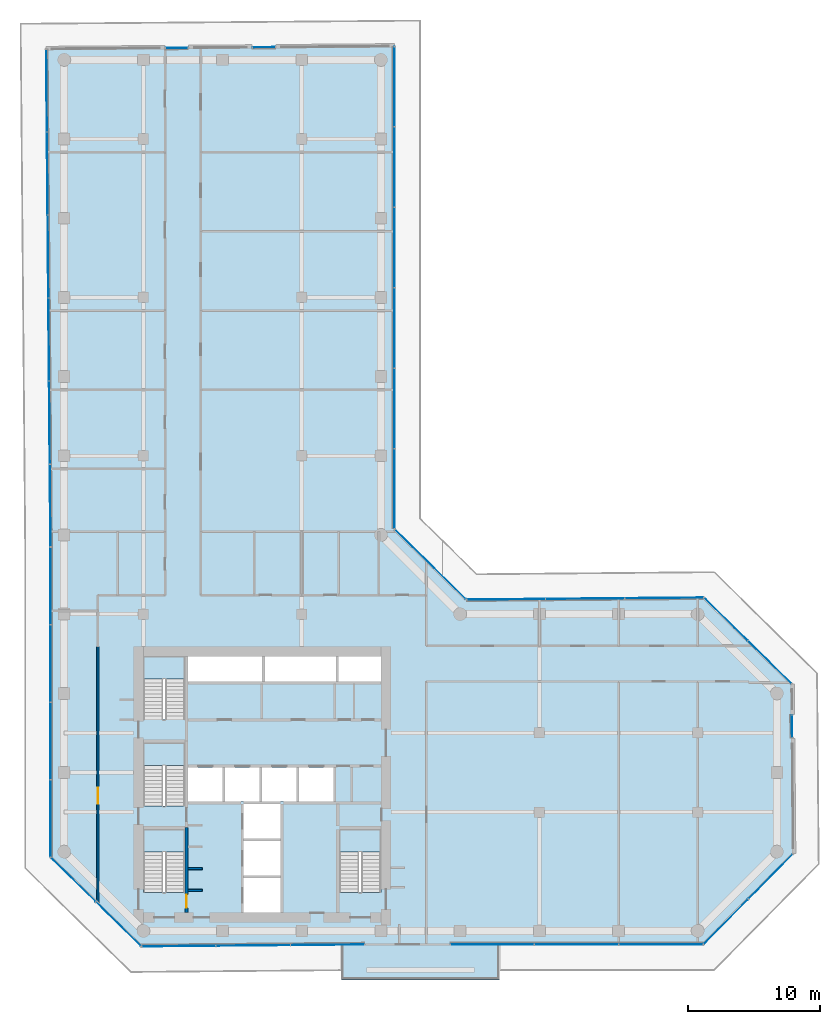
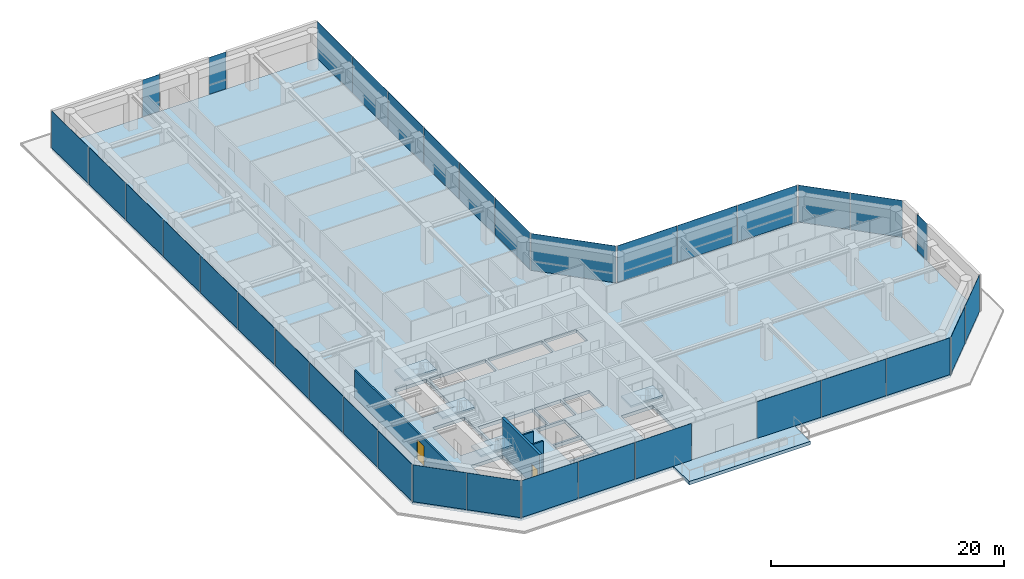
# One storey, part 15 of 21: 35 plates, 6 slabs, 4 walls, 2 doors, 2 openings, 17 elements without a shape of their own.
"""IFC4 building model written with IfcOpenShell, lengths in metres."""

from ifc_helpers import new_model, si_unit, direction, frame, frame_2d, origin, origin_2d, place, context, subcontext, project, spatial, polyline, rectangle, outline, extrude, material, layer, layer_set, type_object, element, fill, aggregate, save


model = new_model("IFC4")

# Units and contexts
model_context = context("Model", 3, precision=1e-05, world=origin(), true_north=direction((0.0, 1.0)))
body_context = subcontext(model_context, "Body", "Model", "MODEL_VIEW")
ifc_project = project(units=[si_unit("LENGTHUNIT", "METRE"), si_unit("AREAUNIT", "SQUARE_METRE"), si_unit("VOLUMEUNIT", "CUBIC_METRE"), si_unit("PLANEANGLEUNIT", "RADIAN"), si_unit("MASSUNIT", "GRAM", prefix="KILO")], contexts=[model_context])

# Site, building, storey
site_placement = place(None, origin())
site = spatial("IfcSite", under=ifc_project, at=site_placement, CompositionType="ELEMENT")
building_placement = place(site_placement, origin())
building = spatial("IfcBuilding", under=site, at=building_placement, Name="Welwitschia Terrace Campus", CompositionType="ELEMENT")
storey_placement = place(building_placement, frame((0.0, 0.0, 108.800048828125)))
storey = spatial("IfcBuildingStorey", under=building, at=storey_placement, Name="L24", CompositionType="ELEMENT", Elevation=108.800048828125)

# Curtain wall, plates
ifc_material_1 = material(Name="Bronze anodised aluminium", Category="aluminium")
ifc_layer_1 = layer(ifc_material_1, 0.1201171875)
ifc_layer_set_1 = layer_set([ifc_layer_1], Name="Bronze anodised aluminium")
curtain_wall_type = type_object("IfcCurtainWallType", Name="Curtain wall CW2 tower 6000", PredefinedType="NOTDEFINED", material=ifc_layer_set_1)
curtain_wall_1_placement = place(storey_placement, origin())
curtain_wall_1 = element("IfcCurtainWall", 1, at=curtain_wall_1_placement, inside=storey, type_object=curtain_wall_type, Name="CW L24.0.0", PredefinedType="NOTDEFINED")
ifc_material_2 = material(Name="Tinted bronze-grey glass", Category="glass")
ifc_layer_2 = layer(ifc_material_2, 0.028076171875)
ifc_layer_set_2 = layer_set([ifc_layer_2], Name="Tinted bronze-grey glass")
plate_type = type_object("IfcPlateType", Name="Glass panel 28 tinted", PredefinedType="CURTAIN_PANEL", material=ifc_layer_set_2)
plate_1_placement = place(storey_placement, frame((-1.331787109375, 67.661376953125, 0.0), z_axis=(0.0, 0.0, 1.0), x_axis=(0.008726535498, -0.999961923064, 0.0)))
plate_1 = element("IfcPlate", 2, at=plate_1_placement, type_object=plate_type, Name="Panel L24.0.0.0", PredefinedType="CURTAIN_PANEL", context=body_context, shape_type="SweptSolid", body=[
    extrude(rectangle(XDim=6.201171875, YDim=0.028076171875, at=origin_2d()), origin(), (0.0, 0.0, 1.0), 3.85009765625),
])
plate_2_placement = place(storey_placement, frame((-1.277099609375, 61.385498046875, 0.0), z_axis=(0.0, 0.0, 1.0), x_axis=(0.008726535498, -0.999961923064, 0.0)))
plate_2 = element("IfcPlate", 3, at=plate_2_placement, type_object=plate_type, Name="Panel L24.0.0.1", PredefinedType="CURTAIN_PANEL", context=body_context, shape_type="SweptSolid", body=[
    extrude(rectangle(XDim=6.23095703125, YDim=0.028076171875, at=origin_2d()), origin(), (0.0, 0.0, 1.0), 3.85009765625),
])
plate_3_placement = place(storey_placement, frame((-1.22216796875, 55.0947265625, 0.0), z_axis=(0.0, 0.0, 1.0), x_axis=(0.008726535498, -0.999961923064, 0.0)))
plate_3 = element("IfcPlate", 4, at=plate_3_placement, type_object=plate_type, Name="Panel L24.0.0.2", PredefinedType="CURTAIN_PANEL", context=body_context, shape_type="SweptSolid", body=[
    extrude(rectangle(XDim=6.23095703125, YDim=0.028076171875, at=origin_2d()), origin(), (0.0, 0.0, 1.0), 3.85009765625),
])
plate_4_placement = place(storey_placement, frame((-1.167236328125, 48.8037109375, 0.0), z_axis=(0.0, 0.0, 1.0), x_axis=(0.008726535498, -0.999961923064, 0.0)))
plate_4 = element("IfcPlate", 5, at=plate_4_placement, type_object=plate_type, Name="Panel L24.0.0.3", PredefinedType="CURTAIN_PANEL", context=body_context, shape_type="SweptSolid", body=[
    extrude(rectangle(XDim=6.23095703125, YDim=0.028076171875, at=origin_2d()), origin(), (0.0, 0.0, 1.0), 3.85009765625),
])
plate_5_placement = place(storey_placement, frame((-1.1123046875, 42.512939453125, 0.0), z_axis=(0.0, 0.0, 1.0), x_axis=(0.008726535498, -0.999961923064, 0.0)))
plate_5 = element("IfcPlate", 6, at=plate_5_placement, type_object=plate_type, Name="Panel L24.0.0.4", PredefinedType="CURTAIN_PANEL", context=body_context, shape_type="SweptSolid", body=[
    extrude(rectangle(XDim=6.23095703125, YDim=0.028076171875, at=origin_2d()), origin(), (0.0, 0.0, 1.0), 3.85009765625),
])
plate_6_placement = place(storey_placement, frame((-1.0576171875, 36.237060546875, 0.0), z_axis=(0.0, 0.0, 1.0), x_axis=(0.008726535498, -0.999961923064, 0.0)))
plate_6 = element("IfcPlate", 7, at=plate_6_placement, type_object=plate_type, Name="Panel L24.0.0.5", PredefinedType="CURTAIN_PANEL", context=body_context, shape_type="SweptSolid", body=[
    extrude(rectangle(XDim=6.201171875, YDim=0.028076171875, at=origin_2d()), origin(), (0.0, 0.0, 1.0), 3.85009765625),
])
aggregate(curtain_wall_1, [plate_1, plate_2, plate_3, plate_4, plate_5, plate_6])

curtain_wall_2_placement = place(storey_placement, origin())
curtain_wall_2 = element("IfcCurtainWall", 8, at=curtain_wall_2_placement, inside=storey, type_object=curtain_wall_type, Name="CW L24.1.0", PredefinedType="NOTDEFINED")
plate_7_placement = place(storey_placement, frame((-1.030029296875, 30.123779296875, 0.0), z_axis=(0.0, 0.0, 1.0), x_axis=(0.0, -1.0, 0.0)))
plate_7 = element("IfcPlate", 9, at=plate_7_placement, type_object=plate_type, Name="Panel L24.1.0.0", PredefinedType="CURTAIN_PANEL", context=body_context, shape_type="SweptSolid", body=[
    extrude(rectangle(XDim=5.785888671875, YDim=0.028076171875, at=origin_2d()), origin(), (0.0, 0.0, 1.0), 3.85009765625),
])
plate_8_placement = place(storey_placement, frame((-1.030029296875, 24.262939453125, 0.0), z_axis=(0.0, 0.0, 1.0), x_axis=(0.0, -1.0, 0.0)))
plate_8 = element("IfcPlate", 10, at=plate_8_placement, type_object=plate_type, Name="Panel L24.1.0.1", PredefinedType="CURTAIN_PANEL", context=body_context, shape_type="SweptSolid", body=[
    extrude(rectangle(XDim=5.81591796875, YDim=0.028076171875, at=origin_2d()), origin(), (0.0, 0.0, 1.0), 3.85009765625),
])
plate_9_placement = place(storey_placement, frame((-1.030029296875, 18.386962890625, 0.0), z_axis=(0.0, 0.0, 1.0), x_axis=(0.0, -1.0, 0.0)))
plate_9 = element("IfcPlate", 11, at=plate_9_placement, type_object=plate_type, Name="Panel L24.1.0.2", PredefinedType="CURTAIN_PANEL", context=body_context, shape_type="SweptSolid", body=[
    extrude(rectangle(XDim=5.81591796875, YDim=0.028076171875, at=origin_2d()), origin(), (0.0, 0.0, 1.0), 3.85009765625),
])
plate_10_placement = place(storey_placement, frame((-1.030029296875, 12.526123046875, 0.0), z_axis=(0.0, 0.0, 1.0), x_axis=(0.0, -1.0, 0.0)))
plate_10 = element("IfcPlate", 12, at=plate_10_placement, type_object=plate_type, Name="Panel L24.1.0.3", PredefinedType="CURTAIN_PANEL", context=body_context, shape_type="SweptSolid", body=[
    extrude(rectangle(XDim=5.785888671875, YDim=0.028076171875, at=origin_2d()), origin(), (0.0, 0.0, 1.0), 3.85009765625),
])
aggregate(curtain_wall_2, [plate_7, plate_8, plate_9, plate_10])

curtain_wall_3_placement = place(storey_placement, origin())
curtain_wall_3 = element("IfcCurtainWall", 13, at=curtain_wall_3_placement, inside=storey, type_object=curtain_wall_type, Name="CW L24.2.0", PredefinedType="NOTDEFINED")
plate_11_placement = place(storey_placement, frame((0.697509765625, 7.874755859375, 0.0), z_axis=(0.0, 0.0, 1.0), x_axis=(0.71311951788, -0.701042476045, 0.0)))
plate_11 = element("IfcPlate", 14, at=plate_11_placement, type_object=plate_type, Name="Panel L24.2.0.0", PredefinedType="CURTAIN_PANEL", context=body_context, shape_type="SweptSolid", body=[
    extrude(rectangle(XDim=4.72509765625, YDim=0.028076171875, at=origin_2d()), origin(), (0.0, 0.0, 1.0), 3.85009765625),
])
plate_12_placement = place(storey_placement, frame((4.110107421875, 4.520263671875, 0.0), z_axis=(0.0, 0.0, 1.0), x_axis=(0.71311951788, -0.701042476045, 0.0)))
plate_12 = element("IfcPlate", 15, at=plate_12_placement, type_object=plate_type, Name="Panel L24.2.0.1", PredefinedType="CURTAIN_PANEL", context=body_context, shape_type="SweptSolid", body=[
    extrude(rectangle(XDim=4.72509765625, YDim=0.028076171875, at=origin_2d()), origin(), (0.0, 0.0, 1.0), 3.85009765625),
])
aggregate(curtain_wall_3, [plate_11, plate_12])

curtain_wall_4_placement = place(storey_placement, origin())
curtain_wall_4 = element("IfcCurtainWall", 16, at=curtain_wall_4_placement, inside=storey, type_object=curtain_wall_type, Name="CW L24.3.0", PredefinedType="NOTDEFINED")
plate_13_placement = place(storey_placement, frame((8.681396484375, 2.8466796875, 0.0), z_axis=(0.0, 0.0, 1.0), x_axis=(0.999961923064, 0.008726535498, 0.0)))
plate_13 = element("IfcPlate", 17, at=plate_13_placement, type_object=plate_type, Name="Panel L24.3.0.0", PredefinedType="CURTAIN_PANEL", context=body_context, shape_type="SweptSolid", body=[
    extrude(rectangle(XDim=5.56787109375, YDim=0.028076171875, at=origin_2d()), origin(), (0.0, 0.0, 1.0), 3.85009765625),
])
plate_14_placement = place(storey_placement, frame((14.32421875, 2.89599609375, 0.0), z_axis=(0.0, 0.0, 1.0), x_axis=(0.999961923064, 0.008726535498, 0.0)))
plate_14 = element("IfcPlate", 18, at=plate_14_placement, type_object=plate_type, Name="Panel L24.3.0.1", PredefinedType="CURTAIN_PANEL", context=body_context, shape_type="SweptSolid", body=[
    extrude(rectangle(XDim=5.597900390625, YDim=0.028076171875, at=origin_2d()), origin(), (0.0, 0.0, 1.0), 3.85009765625),
])
plate_15_placement = place(storey_placement, frame((19.966796875, 2.945068359375, 0.0), z_axis=(0.0, 0.0, 1.0), x_axis=(0.999961923064, 0.008726535498, 0.0)))
plate_15 = element("IfcPlate", 19, at=plate_15_placement, type_object=plate_type, Name="Panel L24.3.0.2", PredefinedType="CURTAIN_PANEL", context=body_context, shape_type="SweptSolid", body=[
    extrude(rectangle(XDim=5.56787109375, YDim=0.028076171875, at=origin_2d()), origin(), (0.0, 0.0, 1.0), 3.85009765625),
])
aggregate(curtain_wall_4, [plate_13, plate_14, plate_15])

curtain_wall_5_placement = place(storey_placement, origin())
curtain_wall_5 = element("IfcCurtainWall", 20, at=curtain_wall_5_placement, inside=storey, type_object=curtain_wall_type, Name="CW L24.4.1", PredefinedType="NOTDEFINED")
plate_16_placement = place(storey_placement, frame((32.431640625, 2.969970703125, 0.0), z_axis=(0.0, 0.0, 1.0), x_axis=(1.0, 0.0, 0.0)))
plate_16 = element("IfcPlate", 21, at=plate_16_placement, type_object=plate_type, Name="Panel L24.4.1.0", PredefinedType="CURTAIN_PANEL", context=body_context, shape_type="SweptSolid", body=[
    extrude(rectangle(XDim=6.31396484375, YDim=0.028076171875, at=origin_2d()), origin(), (0.0, 0.0, 1.0), 3.85009765625),
])
plate_17_placement = place(storey_placement, frame((38.82080078125, 2.969970703125, 0.0), z_axis=(0.0, 0.0, 1.0), x_axis=(1.0, 0.0, 0.0)))
plate_17 = element("IfcPlate", 22, at=plate_17_placement, type_object=plate_type, Name="Panel L24.4.1.1", PredefinedType="CURTAIN_PANEL", context=body_context, shape_type="SweptSolid", body=[
    extrude(rectangle(XDim=6.343994140625, YDim=0.028076171875, at=origin_2d()), origin(), (0.0, 0.0, 1.0), 3.85009765625),
])
plate_18_placement = place(storey_placement, frame((45.209716796875, 2.969970703125, 0.0), z_axis=(0.0, 0.0, 1.0), x_axis=(1.0, 0.0, 0.0)))
plate_18 = element("IfcPlate", 23, at=plate_18_placement, type_object=plate_type, Name="Panel L24.4.1.2", PredefinedType="CURTAIN_PANEL", context=body_context, shape_type="SweptSolid", body=[
    extrude(rectangle(XDim=6.31396484375, YDim=0.028076171875, at=origin_2d()), origin(), (0.0, 0.0, 1.0), 3.85009765625),
])
aggregate(curtain_wall_5, [plate_16, plate_17, plate_18])

curtain_wall_6_placement = place(storey_placement, origin())
curtain_wall_6 = element("IfcCurtainWall", 24, at=curtain_wall_6_placement, inside=storey, type_object=curtain_wall_type, Name="CW L24.5.0", PredefinedType="NOTDEFINED")
plate_19_placement = place(storey_placement, frame((50.139404296875, 4.702392578125, 0.0), z_axis=(0.0, 0.0, 1.0), x_axis=(0.703042701837, 0.711147635441, 0.0)))
plate_19 = element("IfcPlate", 25, at=plate_19_placement, type_object=plate_type, Name="Panel L24.5.0.0", PredefinedType="CURTAIN_PANEL", context=body_context, shape_type="SweptSolid", body=[
    extrude(rectangle(XDim=4.751953125, YDim=0.028076171875, at=origin_2d()), origin(), (0.0, 0.0, 1.0), 3.85009765625),
])
plate_20_placement = place(storey_placement, frame((53.522216796875, 8.124267578125, 0.0), z_axis=(0.0, 0.0, 1.0), x_axis=(0.703042701837, 0.711147635441, 0.0)))
plate_20 = element("IfcPlate", 26, at=plate_20_placement, type_object=plate_type, Name="Panel L24.5.0.1", PredefinedType="CURTAIN_PANEL", context=body_context, shape_type="SweptSolid", body=[
    extrude(rectangle(XDim=4.751953125, YDim=0.028076171875, at=origin_2d()), origin(), (0.0, 0.0, 1.0), 3.85009765625),
])
aggregate(curtain_wall_6, [plate_19, plate_20])

# Curtain wall, plate
curtain_wall_7_placement = place(storey_placement, origin())
curtain_wall_7 = element("IfcCurtainWall", 27, at=curtain_wall_7_placement, inside=storey, type_object=curtain_wall_type, Name="CW L24.6.S0", PredefinedType="NOTDEFINED")
plate_21_placement = place(storey_placement, frame((55.150634765625, 19.49609375, 0.0), z_axis=(0.0, 0.0, 1.0), x_axis=(-0.008726535498, 0.999961923064, 0.0)))
plate_21 = element("IfcPlate", 28, at=plate_21_placement, type_object=plate_type, Name="Panel L24.6.S0.0", PredefinedType="CURTAIN_PANEL", context=body_context, shape_type="SweptSolid", body=[
    extrude(rectangle(XDim=1.679931640625, YDim=0.028076171875, at=origin_2d()), origin(), (0.0, 0.0, 1.0), 3.85009765625),
])
aggregate(curtain_wall_7, [plate_21])

# Curtain wall, plates
curtain_wall_8_placement = place(storey_placement, origin())
curtain_wall_8 = element("IfcCurtainWall", 29, at=curtain_wall_8_placement, inside=storey, type_object=curtain_wall_type, Name="CW L24.7.0", PredefinedType="NOTDEFINED")
plate_22_placement = place(storey_placement, frame((53.44677734375, 24.356201171875, 0.0), z_axis=(0.0, 0.0, 1.0), x_axis=(-0.713250449154, 0.7009092643, 0.0)))
plate_22 = element("IfcPlate", 30, at=plate_22_placement, type_object=plate_type, Name="Panel L24.7.0.0", PredefinedType="CURTAIN_PANEL", context=body_context, shape_type="SweptSolid", body=[
    extrude(rectangle(XDim=4.579345703125, YDim=0.028076171875, at=origin_2d()), origin(), (0.0, 0.0, 1.0), 3.85009765625),
])
plate_23_placement = place(storey_placement, frame((50.1376953125, 27.60791015625, 0.0), z_axis=(0.0, 0.0, 1.0), x_axis=(-0.713250449154, 0.7009092643, 0.0)))
plate_23 = element("IfcPlate", 31, at=plate_23_placement, type_object=plate_type, Name="Panel L24.7.0.1", PredefinedType="CURTAIN_PANEL", context=body_context, shape_type="SweptSolid", body=[
    extrude(rectangle(XDim=4.579345703125, YDim=0.028076171875, at=origin_2d()), origin(), (0.0, 0.0, 1.0), 3.85009765625),
])
aggregate(curtain_wall_8, [plate_22, plate_23])

curtain_wall_9_placement = place(storey_placement, origin())
curtain_wall_9 = element("IfcCurtainWall", 32, at=curtain_wall_9_placement, inside=storey, type_object=curtain_wall_type, Name="CW L24.8.0", PredefinedType="NOTDEFINED")
plate_24_placement = place(storey_placement, frame((45.447021484375, 29.228515625, 0.0), z_axis=(0.0, 0.0, 1.0), x_axis=(-0.999961923064, -0.008726535498, 0.0)))
plate_24 = element("IfcPlate", 33, at=plate_24_placement, type_object=plate_type, Name="Panel L24.8.0.0", PredefinedType="CURTAIN_PANEL", context=body_context, shape_type="SweptSolid", body=[
    extrude(rectangle(XDim=5.909912109375, YDim=0.028076171875, at=origin_2d()), origin(), (0.0, 0.0, 1.0), 3.85009765625),
])
plate_25_placement = place(storey_placement, frame((39.462158203125, 29.17626953125, 0.0), z_axis=(0.0, 0.0, 1.0), x_axis=(-0.999961923064, -0.008726535498, 0.0)))
plate_25 = element("IfcPlate", 34, at=plate_25_placement, type_object=plate_type, Name="Panel L24.8.0.1", PredefinedType="CURTAIN_PANEL", context=body_context, shape_type="SweptSolid", body=[
    extrude(rectangle(XDim=5.93994140625, YDim=0.028076171875, at=origin_2d()), origin(), (0.0, 0.0, 1.0), 3.85009765625),
])
plate_26_placement = place(storey_placement, frame((33.4775390625, 29.1240234375, 0.0), z_axis=(0.0, 0.0, 1.0), x_axis=(-0.999961923064, -0.008726535498, 0.0)))
plate_26 = element("IfcPlate", 35, at=plate_26_placement, type_object=plate_type, Name="Panel L24.8.0.2", PredefinedType="CURTAIN_PANEL", context=body_context, shape_type="SweptSolid", body=[
    extrude(rectangle(XDim=5.909912109375, YDim=0.028076171875, at=origin_2d()), origin(), (0.0, 0.0, 1.0), 3.85009765625),
])
aggregate(curtain_wall_9, [plate_24, plate_25, plate_26])

# Curtain wall, plate
curtain_wall_10_placement = place(storey_placement, origin())
curtain_wall_10 = element("IfcCurtainWall", 36, at=curtain_wall_10_placement, inside=storey, type_object=curtain_wall_type, Name="CW L24.9.0", PredefinedType="NOTDEFINED")
plate_27_placement = place(storey_placement, frame((27.746337890625, 31.76708984375, 0.0), z_axis=(0.0, 0.0, 1.0), x_axis=(-0.713250449154, 0.7009092643, 0.0)))
plate_27 = element("IfcPlate", 37, at=plate_27_placement, type_object=plate_type, Name="Panel L24.9.0.0", PredefinedType="CURTAIN_PANEL", context=body_context, shape_type="SweptSolid", body=[
    extrude(rectangle(XDim=7.49658203125, YDim=0.028076171875, at=origin_2d()), origin(), (0.0, 0.0, 1.0), 3.85009765625),
])
aggregate(curtain_wall_10, [plate_27])

# Curtain wall, plates
curtain_wall_11_placement = place(storey_placement, origin())
curtain_wall_11 = element("IfcCurtainWall", 38, at=curtain_wall_11_placement, inside=storey, type_object=curtain_wall_type, Name="CW L24.10.0", PredefinedType="NOTDEFINED")
plate_28_placement = place(storey_placement, frame((25.030029296875, 37.500732421875, 0.0), z_axis=(0.0, 0.0, 1.0), x_axis=(0.0, 1.0, 0.0)))
plate_28 = element("IfcPlate", 39, at=plate_28_placement, type_object=plate_type, Name="Panel L24.10.0.0", PredefinedType="CURTAIN_PANEL", context=body_context, shape_type="SweptSolid", body=[
    extrude(rectangle(XDim=6.009033203125, YDim=0.028076171875, at=origin_2d()), origin(), (0.0, 0.0, 1.0), 3.85009765625),
])
plate_29_placement = place(storey_placement, frame((25.030029296875, 43.584716796875, 0.0), z_axis=(0.0, 0.0, 1.0), x_axis=(0.0, 1.0, 0.0)))
plate_29 = element("IfcPlate", 40, at=plate_29_placement, type_object=plate_type, Name="Panel L24.10.0.1", PredefinedType="CURTAIN_PANEL", context=body_context, shape_type="SweptSolid", body=[
    extrude(rectangle(XDim=6.0390625, YDim=0.028076171875, at=origin_2d()), origin(), (0.0, 0.0, 1.0), 3.85009765625),
])
plate_30_placement = place(storey_placement, frame((25.030029296875, 49.683837890625, 0.0), z_axis=(0.0, 0.0, 1.0), x_axis=(0.0, 1.0, 0.0)))
plate_30 = element("IfcPlate", 41, at=plate_30_placement, type_object=plate_type, Name="Panel L24.10.0.2", PredefinedType="CURTAIN_PANEL", context=body_context, shape_type="SweptSolid", body=[
    extrude(rectangle(XDim=6.0390625, YDim=0.028076171875, at=origin_2d()), origin(), (0.0, 0.0, 1.0), 3.85009765625),
])
plate_31_placement = place(storey_placement, frame((25.030029296875, 55.78271484375, 0.0), z_axis=(0.0, 0.0, 1.0), x_axis=(0.0, 1.0, 0.0)))
plate_31 = element("IfcPlate", 42, at=plate_31_placement, type_object=plate_type, Name="Panel L24.10.0.3", PredefinedType="CURTAIN_PANEL", context=body_context, shape_type="SweptSolid", body=[
    extrude(rectangle(XDim=6.0390625, YDim=0.028076171875, at=origin_2d()), origin(), (0.0, 0.0, 1.0), 3.85009765625),
])
plate_32_placement = place(storey_placement, frame((25.030029296875, 61.8818359375, 0.0), z_axis=(0.0, 0.0, 1.0), x_axis=(0.0, 1.0, 0.0)))
plate_32 = element("IfcPlate", 43, at=plate_32_placement, type_object=plate_type, Name="Panel L24.10.0.4", PredefinedType="CURTAIN_PANEL", context=body_context, shape_type="SweptSolid", body=[
    extrude(rectangle(XDim=6.0390625, YDim=0.028076171875, at=origin_2d()), origin(), (0.0, 0.0, 1.0), 3.85009765625),
])
plate_33_placement = place(storey_placement, frame((25.030029296875, 67.9658203125, 0.0), z_axis=(0.0, 0.0, 1.0), x_axis=(0.0, 1.0, 0.0)))
plate_33 = element("IfcPlate", 44, at=plate_33_placement, type_object=plate_type, Name="Panel L24.10.0.5", PredefinedType="CURTAIN_PANEL", context=body_context, shape_type="SweptSolid", body=[
    extrude(rectangle(XDim=6.009033203125, YDim=0.028076171875, at=origin_2d()), origin(), (0.0, 0.0, 1.0), 3.85009765625),
])
aggregate(curtain_wall_11, [plate_28, plate_29, plate_30, plate_31, plate_32, plate_33])

# Curtain wall, plate
curtain_wall_12_placement = place(storey_placement, origin())
curtain_wall_12 = element("IfcCurtainWall", 45, at=curtain_wall_12_placement, inside=storey, type_object=curtain_wall_type, Name="CW L24.11.S0", PredefinedType="NOTDEFINED")
plate_34_placement = place(storey_placement, frame((15.134033203125, 70.9521484375, 0.0), z_axis=(0.0, 0.0, 1.0), x_axis=(-0.999968774056, -0.007902588985, 0.0)))
plate_34 = element("IfcPlate", 46, at=plate_34_placement, type_object=plate_type, Name="Panel L24.11.S0.0", PredefinedType="CURTAIN_PANEL", context=body_context, shape_type="SweptSolid", body=[
    extrude(rectangle(XDim=1.679931640625, YDim=0.028076171875, at=origin_2d()), origin(), (0.0, 0.0, 1.0), 3.85009765625),
])
aggregate(curtain_wall_12, [plate_34])

curtain_wall_13_placement = place(storey_placement, origin())
curtain_wall_13 = element("IfcCurtainWall", 47, at=curtain_wall_13_placement, inside=storey, type_object=curtain_wall_type, Name="CW L24.11.S1", PredefinedType="NOTDEFINED")
plate_35_placement = place(storey_placement, frame((8.53662109375, 70.89990234375, 0.0), z_axis=(0.0, 0.0, 1.0), x_axis=(-0.999968774056, -0.007902588985, 0.0)))
plate_35 = element("IfcPlate", 48, at=plate_35_placement, type_object=plate_type, Name="Panel L24.11.S1.0", PredefinedType="CURTAIN_PANEL", context=body_context, shape_type="SweptSolid", body=[
    extrude(rectangle(XDim=1.679931640625, YDim=0.028076171875, at=origin_2d()), origin(), (0.0, 0.0, 1.0), 3.85009765625),
])
aggregate(curtain_wall_13, [plate_35])

# Stair, slab
ifc_material_3 = material(Name="Concrete C40/50", Category="concrete")
stair_type = type_object("IfcStairType", Name="Stair 24R 175 W1500", PredefinedType="HALF_TURN_STAIR", material=ifc_material_3)
stair_1_placement = place(storey_placement, origin())
stair_1 = element("IfcStair", 49, at=stair_1_placement, inside=storey, type_object=stair_type, Name="L24 Exit stair S1", PredefinedType="HALF_TURN_STAIR")
ifc_material_4 = material(Name="Concrete C40/50", Category="concrete")
ifc_layer_3 = layer(ifc_material_4, 0.199951171875)
ifc_layer_set_3 = layer_set([ifc_layer_3], Name="Concrete C40/50")
slab_type_1 = type_object("IfcSlabType", Name="Stair landing RC", PredefinedType="LANDING", material=ifc_layer_set_3)
slab_1_placement = place(storey_placement, frame((0.0, 0.0, 1.89990234375)))
slab_1 = element("IfcSlab", 50, at=slab_1_placement, type_object=slab_type_1, Name="S1 landing 1", PredefinedType="LANDING", context=body_context, shape_type="SweptSolid", body=[
    extrude(outline(polyline([(9.14990234375, 9.97998046875), (9.14990234375, 11.699951171875), (6.0, 11.699951171875), (6.0, 9.97998046875), (9.14990234375, 9.97998046875)])), origin(), (0.0, 0.0, 1.0), 0.199951171875),
])
aggregate(stair_1, [slab_1])

stair_2_placement = place(storey_placement, origin())
stair_2 = element("IfcStair", 51, at=stair_2_placement, inside=storey, type_object=stair_type, Name="L24 Exit stair S3", PredefinedType="HALF_TURN_STAIR")
slab_2_placement = place(storey_placement, frame((0.0, 0.0, 1.89990234375)))
slab_2 = element("IfcSlab", 52, at=slab_2_placement, type_object=slab_type_1, Name="S3 landing 1", PredefinedType="LANDING", context=body_context, shape_type="SweptSolid", body=[
    extrude(outline(polyline([(9.14990234375, 16.530029296875), (9.14990234375, 18.25), (6.0, 18.25), (6.0, 16.530029296875), (9.14990234375, 16.530029296875)])), origin(), (0.0, 0.0, 1.0), 0.199951171875),
])
aggregate(stair_2, [slab_2])

stair_3_placement = place(storey_placement, origin())
stair_3 = element("IfcStair", 53, at=stair_3_placement, inside=storey, type_object=stair_type, Name="L24 Exit stair S4", PredefinedType="HALF_TURN_STAIR")
slab_3_placement = place(storey_placement, frame((0.0, 0.0, 1.89990234375)))
slab_3 = element("IfcSlab", 54, at=slab_3_placement, type_object=slab_type_1, Name="S4 landing 1", PredefinedType="LANDING", context=body_context, shape_type="SweptSolid", body=[
    extrude(outline(polyline([(9.14990234375, 23.080078125), (9.14990234375, 24.800048828125), (6.0, 24.800048828125), (6.0, 23.080078125), (9.14990234375, 23.080078125)])), origin(), (0.0, 0.0, 1.0), 0.199951171875),
])
aggregate(stair_3, [slab_3])

stair_4_placement = place(storey_placement, origin())
stair_4 = element("IfcStair", 55, at=stair_4_placement, inside=storey, type_object=stair_type, Name="L24 Exit stair S2", PredefinedType="HALF_TURN_STAIR")
slab_4_placement = place(storey_placement, frame((0.0, 0.0, 1.89990234375)))
slab_4 = element("IfcSlab", 56, at=slab_4_placement, type_object=slab_type_1, Name="S2 landing 1", PredefinedType="LANDING", context=body_context, shape_type="SweptSolid", body=[
    extrude(outline(polyline([(24.0, 9.97998046875), (24.0, 11.699951171875), (20.85009765625, 11.699951171875), (20.85009765625, 9.97998046875), (24.0, 9.97998046875)])), origin(), (0.0, 0.0, 1.0), 0.199951171875),
])
aggregate(stair_4, [slab_4])

# Slabs
ifc_material_5 = material(Name="Concrete C40/50", Category="concrete")
ifc_layer_4 = layer(ifc_material_5, 0.35009765625)
ifc_layer_set_4 = layer_set([ifc_layer_4], Name="Concrete C40/50")
slab_type_2 = type_object("IfcSlabType", Name="Suspended floor slab 350", PredefinedType="FLOOR", material=ifc_layer_set_4)
slab_5_placement = place(storey_placement, frame((0.0, 0.0, -0.35009765625)))
element("IfcSlab", 57, at=slab_5_placement, inside=storey, type_object=slab_type_2, Name="Floor slab L24", PredefinedType="FLOOR", context=body_context, shape_type="SweptSolid", body=[
    extrude(outline(polyline([(25.0, 34.423828125), (30.450439453125, 29.067626953125), (48.44970703125, 29.224853515625), (55.0927734375, 22.69677734375), (55.20458984375, 9.86865234375), (48.414306640625, 3.0), (33.001953125, 3.0), (33.001953125, 3.014892578125), (31.481201171875, 3.014892578125), (31.481201171875, 3.0), (22.810546875, 3.0), (21.27001953125, 2.986572265625), (21.269775390625, 3.00146484375), (20.997802734375, 2.999267578125), (20.998046875, 2.984130859375), (5.849853515625, 2.85205078125), (-1.0, 9.585693359375), (-1.0, 33.076904296875), (-1.3291015625, 70.7919921875), (25.0, 71.0), (25.0, 34.423828125)]), holes=[polyline([(13.60009765625, 5.39990234375), (16.39990234375, 5.39990234375), (16.39990234375, 8.0), (13.60009765625, 8.0), (13.60009765625, 5.39990234375)]), polyline([(6.0, 11.699951171875), (6.0, 6.902099609375), (9.14990234375, 6.902099609375), (9.14990234375, 11.699951171875), (6.0, 11.699951171875)]), polyline([(9.39990234375, 16.39990234375), (9.39990234375, 13.800048828125), (12.0, 13.800048828125), (12.0, 16.39990234375), (9.39990234375, 16.39990234375)]), polyline([(12.199951171875, 16.39990234375), (12.199951171875, 13.800048828125), (14.800048828125, 13.800048828125), (14.800048828125, 16.39990234375), (12.199951171875, 16.39990234375)]), polyline([(6.0, 18.25), (6.0, 13.451904296875), (9.14990234375, 13.451904296875), (9.14990234375, 18.25), (6.0, 18.25)]), polyline([(6.0, 24.800048828125), (6.0, 20.001953125), (9.14990234375, 20.001953125), (9.14990234375, 24.800048828125), (6.0, 24.800048828125)]), polyline([(9.39990234375, 24.800048828125), (9.39990234375, 22.89990234375), (15.0, 22.89990234375), (15.0, 24.800048828125), (9.39990234375, 24.800048828125)]), polyline([(20.85009765625, 6.902099609375), (24.0, 6.902099609375), (24.0, 11.699951171875), (20.85009765625, 11.699951171875), (20.85009765625, 6.902099609375)]), polyline([(13.60009765625, 10.800048828125), (13.60009765625, 8.199951171875), (16.39990234375, 8.199951171875), (16.39990234375, 10.800048828125), (13.60009765625, 10.800048828125)]), polyline([(13.60009765625, 13.60009765625), (13.60009765625, 11.0), (16.39990234375, 11.0), (16.39990234375, 13.60009765625), (13.60009765625, 13.60009765625)]), polyline([(15.0, 16.39990234375), (15.0, 13.800048828125), (17.60009765625, 13.800048828125), (17.60009765625, 16.39990234375), (15.0, 16.39990234375)]), polyline([(17.800048828125, 16.39990234375), (17.800048828125, 13.800048828125), (20.39990234375, 13.800048828125), (20.39990234375, 16.39990234375), (17.800048828125, 16.39990234375)]), polyline([(15.199951171875, 24.800048828125), (15.199951171875, 22.89990234375), (20.60009765625, 22.89990234375), (20.60009765625, 24.800048828125), (15.199951171875, 24.800048828125)]), polyline([(20.800048828125, 24.800048828125), (20.800048828125, 22.89990234375), (24.0, 22.89990234375), (24.0, 24.800048828125), (20.800048828125, 24.800048828125)])]), origin(), (0.0, 0.0, 1.0), 0.35009765625),
])
ifc_material_6 = material(Name="Concrete C40/50", Category="concrete")
ifc_layer_5 = layer(ifc_material_6, 0.35009765625)
ifc_layer_set_5 = layer_set([ifc_layer_5], Name="Concrete C40/50")
slab_type_3 = type_object("IfcSlabType", Name="Terrace slab 350", PredefinedType="FLOOR", material=ifc_layer_set_5)
slab_6_placement = place(storey_placement, frame((0.0, 0.0, -0.35009765625)))
element("IfcSlab", 58, at=slab_6_placement, inside=storey, type_object=slab_type_3, Name="Terrace slab", PredefinedType="FLOOR", context=body_context, shape_type="SweptSolid", body=[
    extrude(outline(polyline([(33.0, 0.300048828125), (21.0, 0.2841796875), (21.0, 2.96923828125), (21.27001953125, 2.971435546875), (21.27001953125, 2.984619140625), (31.481201171875, 2.998046875), (31.481201171875, 2.985107421875), (33.0, 2.985107421875), (33.0, 0.300048828125)])), origin(), (0.0, 0.0, 1.0), 0.35009765625),
])

# Walls
ifc_material_7 = material(Name="Concrete C50/60", Category="concrete")
ifc_layer_6 = layer(ifc_material_7, 0.14990234375)
ifc_layer_set_6 = layer_set([ifc_layer_6], Name="Concrete C50/60")
wall_type_1 = type_object("IfcWallType", Name="Core wall 150 Concrete C50/60", PredefinedType="SHEAR", material=ifc_layer_set_6)
for number, where, z_axis, x_axis, name in (
    (59, (9.39990234375, 7.074951171875, 0.0), (0.0, 0.0, 1.0), (1.0, 0.0, 0.0), "Core wall"),
    (60, (9.39990234375, 8.72509765625, 0.0), (0.0, 0.0, 1.0), (1.0, 0.0, 0.0), "Core wall"),
):
    element("IfcWall", number, at=place(storey_placement, frame(where, z_axis=z_axis, x_axis=x_axis)), inside=storey, type_object=wall_type_1, Name=name, PredefinedType="SHEAR", context=body_context, shape_type="SweptSolid", body=[
        extrude(rectangle(XDim=1.050048828125, YDim=0.14990234375, at=frame_2d((0.52490234375, 0.0))), origin(), (0.0, 0.0, 1.0), 3.849853515625),
    ])

# Wall, opening, door
ifc_material_8 = material(Name="Concrete C50/60", Category="concrete")
ifc_layer_7 = layer(ifc_material_8, 0.25)
ifc_layer_set_7 = layer_set([ifc_layer_7], Name="Concrete C50/60")
wall_type_2 = type_object("IfcWallType", Name="Core wall 250 Concrete C50/60", PredefinedType="SHEAR", material=ifc_layer_set_7)
wall_1_placement = place(storey_placement, frame((9.27490234375, 11.824951171875, 0.0), z_axis=(0.0, 0.0, 1.0), x_axis=(0.0, -1.0, 0.0)))
wall_1 = element("IfcWall", 61, at=wall_1_placement, inside=storey, type_object=wall_type_2, Name="Core wall", PredefinedType="SHEAR", context=body_context, shape_type="SweptSolid", body=[
    extrude(rectangle(XDim=6.425048828125, YDim=0.25, at=frame_2d((3.21240234375, 0.0))), origin(), (0.0, 0.0, 1.0), 3.849853515625),
])
opening_1_placement = place(wall_1_placement, frame((5.074951171875, 0.0, 0.0)))
opening_1 = element("IfcOpeningElement", 62, at=opening_1_placement, cuts=wall_1, Name="Opening DS10", PredefinedType="OPENING", context=body_context, shape_type="SweptSolid", body=[
    extrude(rectangle(XDim=1.0, YDim=2.10009765625, at=frame_2d((0.5, 1.050048828125))), frame((0.0, 0.135009765625, 0.0), z_axis=(0.0, -1.0, 0.0), x_axis=(1.0, 0.0, 0.0)), (0.0, 0.0, 1.0), 0.27001953125),
])
ifc_material_9 = material(Name="Steel S275", Category="steel")
door_type_1 = type_object("IfcDoorType", Name="Core door DS10", OperationType="SINGLE_SWING_LEFT", PredefinedType="DOOR", material=ifc_material_9)
door_1_placement = place(opening_1_placement, origin())
door_1 = element("IfcDoor", 63, at=door_1_placement, inside=storey, type_object=door_type_1, Name="Door S1-FL", OperationType="SINGLE_SWING_RIGHT", OverallHeight=2.10009765625, OverallWidth=1.0, PredefinedType="DOOR", context=body_context, shape_type="SweptSolid", body=[
    extrude(rectangle(XDim=1.0, YDim=2.10009765625, at=frame_2d((0.5, 1.050048828125))), frame((0.0, 0.02490234375, 0.0), z_axis=(0.0, -1.0, 0.0), x_axis=(1.0, 0.0, 0.0)), (0.0, 0.0, 1.0), 0.050048828125),
])
fill(opening_1, door_1)

ifc_material_10 = material(Name="Gypsum board on steel studs", Category="steel")
ifc_layer_8 = layer(ifc_material_10, 0.14990234375)
ifc_layer_set_8 = layer_set([ifc_layer_8], Name="Gypsum board on steel studs")
wall_type_3 = type_object("IfcWallType", Name="Corridor partition 150 EI 30", PredefinedType="PARTITIONING", material=ifc_layer_set_8)
wall_2_placement = place(storey_placement, frame((2.550048828125, 6.1201171875, 0.0), z_axis=(0.0, 0.0, 1.0), x_axis=(0.0, 1.0, 0.0)))
wall_2 = element("IfcWall", 64, at=wall_2_placement, inside=storey, type_object=wall_type_3, Name="Partition", PredefinedType="PARTITIONING", context=body_context, shape_type="SweptSolid", body=[
    extrude(rectangle(XDim=19.429931640625, YDim=0.14990234375, at=frame_2d((9.71484375, 0.0))), origin(), (0.0, 0.0, 1.0), 2.829833984375),
])
opening_2_placement = place(wall_2_placement, frame((7.530029296875, 0.0, 0.0)))
opening_2 = element("IfcOpeningElement", 65, at=opening_2_placement, cuts=wall_2, Name="Opening DI12", PredefinedType="OPENING", context=body_context, shape_type="SweptSolid", body=[
    extrude(rectangle(XDim=1.199951171875, YDim=2.10009765625, at=frame_2d((0.60009765625, 1.050048828125))), frame((0.0, 0.0849609375, 0.0), z_axis=(0.0, -1.0, 0.0), x_axis=(1.0, 0.0, 0.0)), (0.0, 0.0, 1.0), 0.169921875),
])
ifc_material_11 = material(Name="Timber veneered door", Category="wood")
door_type_2 = type_object("IfcDoorType", Name="Interior door DI12", OperationType="NOTDEFINED", PredefinedType="DOOR", material=ifc_material_11)
door_2_placement = place(opening_2_placement, origin())
door_2 = element("IfcDoor", 66, at=door_2_placement, inside=storey, type_object=door_type_2, Name="Door L24 521", OperationType="SINGLE_SWING_RIGHT", OverallHeight=2.10009765625, OverallWidth=1.199951171875, PredefinedType="DOOR", context=body_context, shape_type="SweptSolid", body=[
    extrude(rectangle(XDim=1.199951171875, YDim=2.10009765625, at=frame_2d((0.60009765625, 1.050048828125))), frame((0.0, 0.02490234375, 0.0), z_axis=(0.0, -1.0, 0.0), x_axis=(1.0, 0.0, 0.0)), (0.0, 0.0, 1.0), 0.050048828125),
])
fill(opening_2, door_2)

save(model, "model.ifc")
